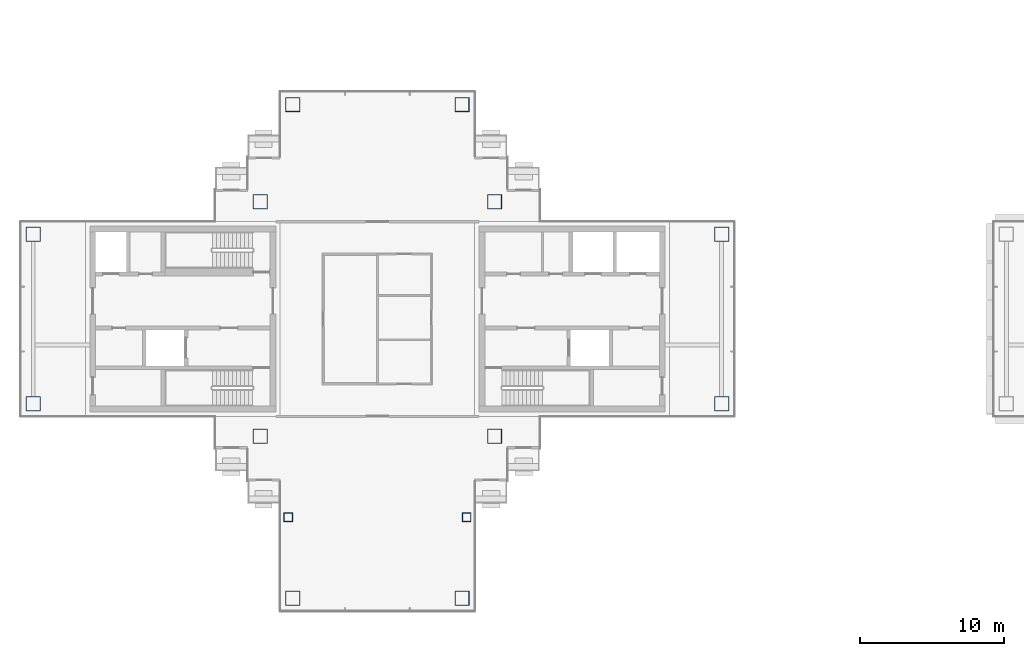
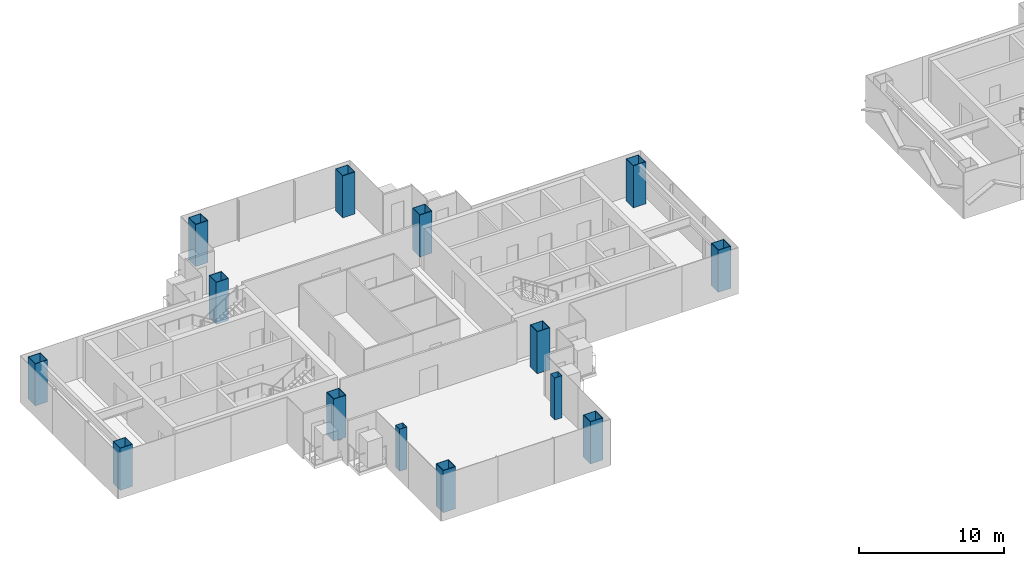
# One storey, part 1 of 17: 14 columns.
"""IFC4 building model written with IfcOpenShell, lengths in metres."""

from ifc_helpers import new_model, si_unit, direction, frame, origin, origin_2d, place, context, subcontext, project, spatial, hollow_rectangle, extrude, material, material_profile, profile_set, type_object, element, save


model = new_model("IFC4")

# Units and contexts
model_context = context("Model", 3, precision=1e-05, world=origin(), true_north=direction((0.0, 1.0)))
body_context = subcontext(model_context, "Body", "Model", "MODEL_VIEW")
ifc_project = project(units=[si_unit("LENGTHUNIT", "METRE"), si_unit("AREAUNIT", "SQUARE_METRE"), si_unit("VOLUMEUNIT", "CUBIC_METRE"), si_unit("PLANEANGLEUNIT", "RADIAN"), si_unit("MASSUNIT", "GRAM", prefix="KILO")], contexts=[model_context])

# Site, building, storey
site_placement = place(None, origin())
site = spatial("IfcSite", under=ifc_project, at=site_placement, CompositionType="ELEMENT")
building_placement = place(site_placement, origin())
building = spatial("IfcBuilding", under=site, at=building_placement, Name="Shamsa Quay Exchange Towers", CompositionType="ELEMENT")
storey_placement = place(building_placement, frame((0.0, 0.0, 217.800048828125)))
storey = spatial("IfcBuildingStorey", under=building, at=storey_placement, Name="L52", CompositionType="ELEMENT", Elevation=217.800048828125)

# Columns
ifc_material_1 = material(Name="Concrete-filled steel tube S355 / C80/95", Category="concrete")
ifc_material_profile_1 = material_profile(ifc_material_1, hollow_rectangle(XDim=1.0, YDim=1.0, WallThickness=0.0400390625, at=origin_2d()), Name="CFT 1000x1000x40")
ifc_profile_set_1 = profile_set([ifc_material_profile_1], Name="Concrete-filled steel tube S355 / C80/95")
column_type_1 = type_object("IfcColumnType", Name="Column CFT 1000x1000x40", PredefinedType="COLUMN", material=ifc_profile_set_1)
for number, where, name in (
    (1, (-25.625, 8.125, 0.0), "Mega column T1-CM01"),
    (2, (-25.625, -8.125, 0.0), "Mega column T1-CM02"),
    (3, (-41.875, 8.125, 0.0), "Mega column T1-CM03"),
    (4, (-41.875, -8.125, 0.0), "Mega column T1-CM04"),
    (5, (-9.875, -5.875, 0.0), "Mega column T1-CM05"),
    (6, (-9.875, 5.875, 0.0), "Mega column T1-CM07"),
    (7, (-57.625, -5.875, 0.0), "Mega column T1-CM09"),
    (8, (-57.625, 5.875, 0.0), "Mega column T1-CM11"),
    (9, (-39.625, 14.875, 0.0), "Mega column T1-CM13"),
    (10, (-27.875, 14.875, 0.0), "Mega column T1-CM16"),
    (11, (-39.625, -19.375, 0.0), "Mega column T1-CM20"),
    (12, (-27.875, -19.375, 0.0), "Mega column T1-CM23"),
):
    element("IfcColumn", number, at=place(storey_placement, frame(where)), inside=storey, type_object=column_type_1, Name=name, PredefinedType="COLUMN", context=body_context, shape_type="SweptSolid", body=[
        extrude(hollow_rectangle(XDim=1.0, YDim=1.0, WallThickness=0.0400390625, at=origin_2d()), origin(), (0.0, 0.0, 1.0), 3.550048828125),
    ])
ifc_material_2 = material(Name="Concrete-filled steel tube S355 / C60/75", Category="concrete")
ifc_material_profile_2 = material_profile(ifc_material_2, hollow_rectangle(XDim=0.60009765625, YDim=0.60009765625, WallThickness=0.02001953125, at=origin_2d()), Name="CFT 600x600x20")
ifc_profile_set_2 = profile_set([ifc_material_profile_2], Name="Concrete-filled steel tube S355 / C60/75")
column_type_2 = type_object("IfcColumnType", Name="Column CFT 600x600x20", PredefinedType="COLUMN", material=ifc_profile_set_2)
for number, where, name in (
    (13, (-39.9375, -13.75, 0.0), "Perimeter column T1-CP19"),
    (14, (-27.5625, -13.75, 0.0), "Perimeter column T1-CP22"),
):
    element("IfcColumn", number, at=place(storey_placement, frame(where)), inside=storey, type_object=column_type_2, Name=name, PredefinedType="COLUMN", context=body_context, shape_type="SweptSolid", body=[
        extrude(hollow_rectangle(XDim=0.60009765625, YDim=0.60009765625, WallThickness=0.02001953125, at=origin_2d()), origin(), (0.0, 0.0, 1.0), 3.550048828125),
    ])

save(model, "model.ifc")
